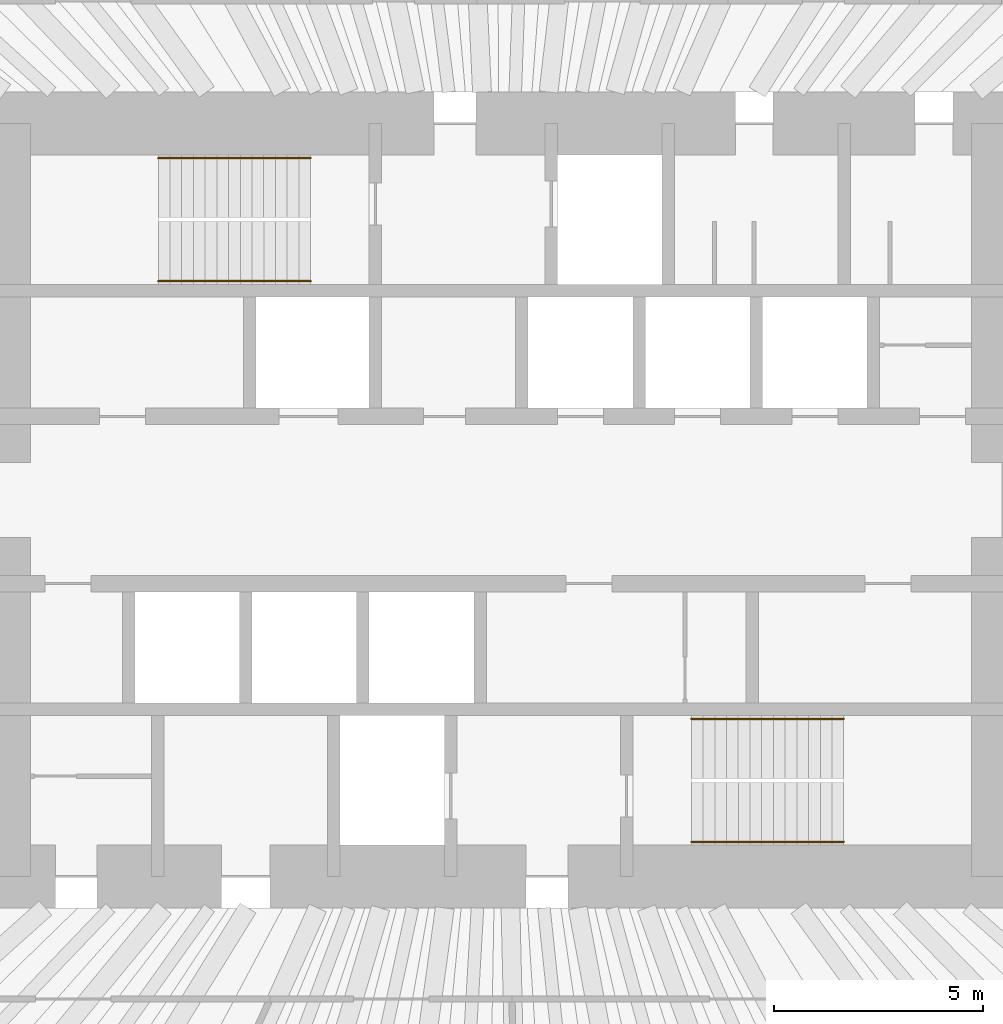
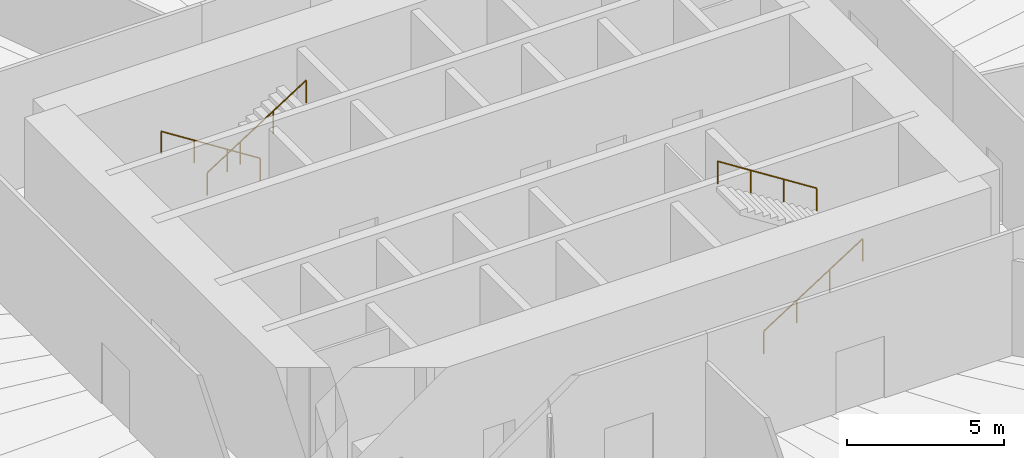
# One storey, part 14 of 14: 4 railings.
"""IFC4 building model written with IfcOpenShell, lengths in metres."""

from ifc_helpers import new_model, si_unit, direction, frame, origin, origin_2d, place, context, subcontext, project, spatial, circle, extrude, material, type_object, element, save


model = new_model("IFC4")

# Units and contexts
model_context = context("Model", 3, precision=1e-05, world=origin(), true_north=direction((0.0, 1.0)))
body_context = subcontext(model_context, "Body", "Model", "MODEL_VIEW")
ifc_project = project(units=[si_unit("LENGTHUNIT", "METRE"), si_unit("AREAUNIT", "SQUARE_METRE"), si_unit("VOLUMEUNIT", "CUBIC_METRE"), si_unit("PLANEANGLEUNIT", "RADIAN"), si_unit("MASSUNIT", "GRAM", prefix="KILO")], contexts=[model_context])

# Site, building, storey
site_placement = place(None, origin())
site = spatial("IfcSite", under=ifc_project, at=site_placement, CompositionType="ELEMENT")
building_placement = place(site_placement, origin())
building = spatial("IfcBuilding", under=site, at=building_placement, Name="Qingtian Harvest Tower", CompositionType="ELEMENT")
storey_placement = place(building_placement, frame((0.0, 0.0, 52.0)))
storey = spatial("IfcBuildingStorey", under=building, at=storey_placement, Name="L10", CompositionType="ELEMENT", Elevation=52.0)

# Railings
ifc_material = material(Name="Stainless steel handrail", Category="steel")
railing_type = type_object("IfcRailingType", Name="Handrail HR1", PredefinedType="HANDRAIL", material=ifc_material)
railing_1_placement = place(storey_placement, frame((-4.550048828125, 8.169921875, 0.178466796875)))
element("IfcRailing", 1, at=railing_1_placement, inside=storey, type_object=railing_type, Name="Handrail HR1 S1 flight 1", PredefinedType="HANDRAIL", context=body_context, shape_type="SweptSolid", body=[
    extrude(circle(Radius=0.02392578125, at=origin_2d()), frame((0.0, 0.0, 0.8759765625), z_axis=(-0.843111507901, 0.0, 0.53773877045), x_axis=(0.0, -1.0, 0.0)), (0.0, 0.0, 1.0), 4.317138671875),
    extrude(circle(Radius=0.02099609375, at=origin_2d()), origin(), (0.0, 0.0, 1.0), 0.851806640625),
    extrude(circle(Radius=0.02099609375, at=origin_2d()), frame((-1.21337890625, 0.0, 0.77392578125)), (0.0, 0.0, 1.0), 0.851806640625),
    extrude(circle(Radius=0.02099609375, at=origin_2d()), frame((-2.426513671875, 0.0, 1.547607421875)), (0.0, 0.0, 1.0), 0.851806640625),
    extrude(circle(Radius=0.02099609375, at=origin_2d()), frame((-3.639892578125, 0.0, 2.321533203125)), (0.0, 0.0, 1.0), 0.851806640625),
])
for number, where, name in (
    (2, (-8.18994140625, 5.22998046875, 2.678466796875), "Handrail HR1 S1 flight 2"),
    (3, (4.550048828125, -8.169921875, 0.178466796875), "Handrail HR1 S2 flight 1"),
):
    element("IfcRailing", number, at=place(storey_placement, frame(where)), inside=storey, type_object=railing_type, Name=name, PredefinedType="HANDRAIL", context=body_context, shape_type="SweptSolid", body=[
        extrude(circle(Radius=0.02392578125, at=origin_2d()), frame((0.0, 0.0, 0.8759765625), z_axis=(0.843111507901, 0.0, 0.53773877045), x_axis=(0.0, 1.0, 0.0)), (0.0, 0.0, 1.0), 4.317138671875),
        extrude(circle(Radius=0.02099609375, at=origin_2d()), origin(), (0.0, 0.0, 1.0), 0.851806640625),
        extrude(circle(Radius=0.02099609375, at=origin_2d()), frame((1.21337890625, 0.0, 0.77392578125)), (0.0, 0.0, 1.0), 0.851806640625),
        extrude(circle(Radius=0.02099609375, at=origin_2d()), frame((2.426513671875, 0.0, 1.547607421875)), (0.0, 0.0, 1.0), 0.851806640625),
        extrude(circle(Radius=0.02099609375, at=origin_2d()), frame((3.639892578125, 0.0, 2.321533203125)), (0.0, 0.0, 1.0), 0.851806640625),
    ])
railing_2_placement = place(storey_placement, frame((8.18994140625, -5.22998046875, 2.678466796875)))
element("IfcRailing", 4, at=railing_2_placement, inside=storey, type_object=railing_type, Name="Handrail HR1 S2 flight 2", PredefinedType="HANDRAIL", context=body_context, shape_type="SweptSolid", body=[
    extrude(circle(Radius=0.02392578125, at=origin_2d()), frame((0.0, 0.0, 0.8759765625), z_axis=(-0.843111507901, 0.0, 0.53773877045), x_axis=(0.0, -1.0, 0.0)), (0.0, 0.0, 1.0), 4.317138671875),
    extrude(circle(Radius=0.02099609375, at=origin_2d()), origin(), (0.0, 0.0, 1.0), 0.851806640625),
    extrude(circle(Radius=0.02099609375, at=origin_2d()), frame((-1.21337890625, 0.0, 0.77392578125)), (0.0, 0.0, 1.0), 0.851806640625),
    extrude(circle(Radius=0.02099609375, at=origin_2d()), frame((-2.426513671875, 0.0, 1.547607421875)), (0.0, 0.0, 1.0), 0.851806640625),
    extrude(circle(Radius=0.02099609375, at=origin_2d()), frame((-3.639892578125, 0.0, 2.321533203125)), (0.0, 0.0, 1.0), 0.851806640625),
])

save(model, "model.ifc")
